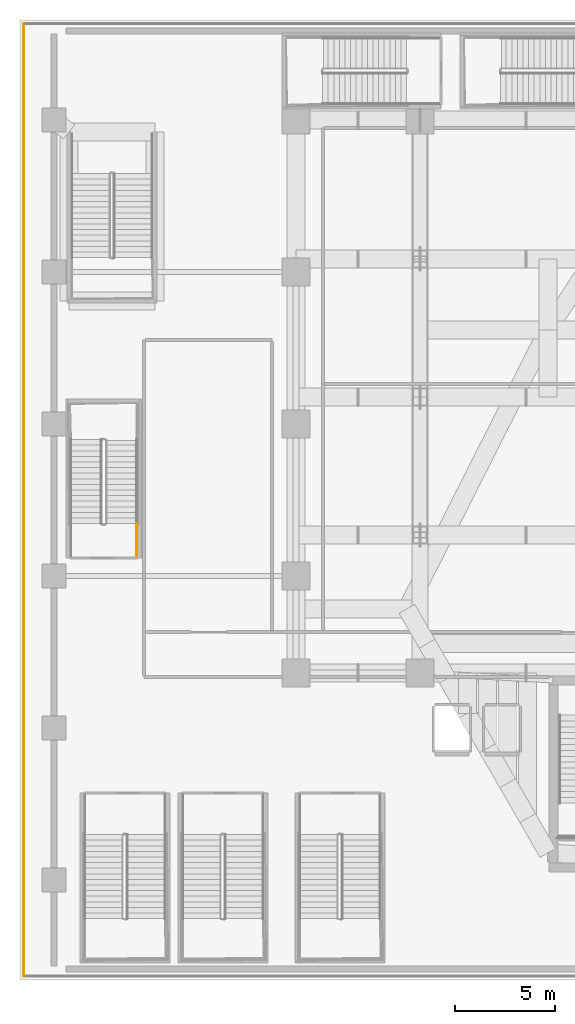
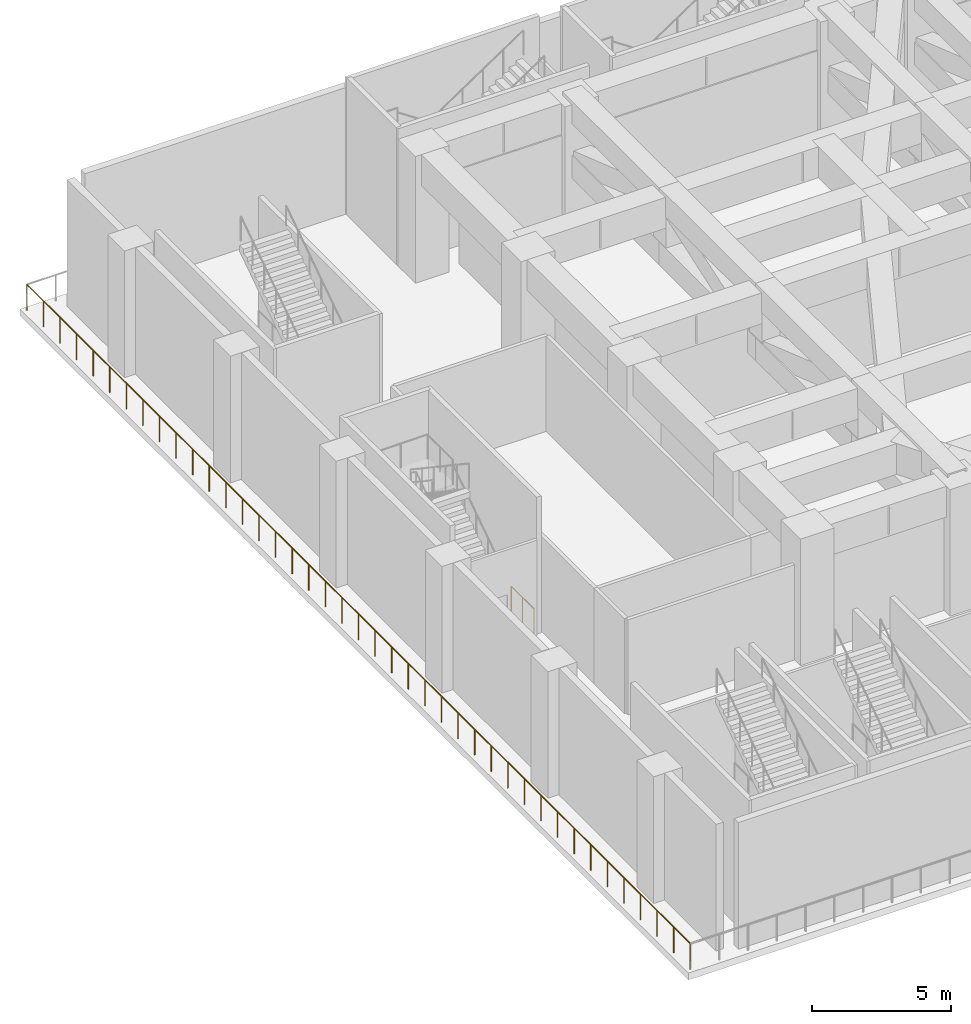
# One storey, part 17 of 27: 2 railings.
"""IFC4 building model written with IfcOpenShell, lengths in metres."""

from ifc_helpers import new_model, si_unit, direction, frame, origin, origin_2d, place, context, subcontext, project, spatial, circle, extrude, material, layer, layer_set, type_object, element, save


model = new_model("IFC4")

# Units and contexts
model_context = context("Model", 3, precision=1e-05, world=origin(), true_north=direction((0.0, 1.0)))
body_context = subcontext(model_context, "Body", "Model", "MODEL_VIEW")
ifc_project = project(units=[si_unit("LENGTHUNIT", "METRE"), si_unit("AREAUNIT", "SQUARE_METRE"), si_unit("VOLUMEUNIT", "CUBIC_METRE"), si_unit("PLANEANGLEUNIT", "RADIAN"), si_unit("MASSUNIT", "GRAM", prefix="KILO")], contexts=[model_context])

# Site, building, storey
site_placement = place(None, origin())
site = spatial("IfcSite", under=ifc_project, at=site_placement, CompositionType="ELEMENT")
building_placement = place(site_placement, origin())
building = spatial("IfcBuilding", under=site, at=building_placement, Name="Ndaravel Arena Tower", CompositionType="ELEMENT")
storey_placement = place(building_placement, frame((0.0, 0.0, 24.0)))
storey = spatial("IfcBuildingStorey", under=building, at=storey_placement, Name="L04", CompositionType="ELEMENT", Elevation=24.0)

# Railings
ifc_material_1 = material(Name="Steel S355", Category="steel")
ifc_layer_1 = layer(ifc_material_1, 0.06005859375)
ifc_layer_set_1 = layer_set([ifc_layer_1], Name="Steel S355")
railing_type_1 = type_object("IfcRailingType", Name="RAIL-STAIR-GD1100", PredefinedType="GUARDRAIL", material=ifc_layer_set_1)
railing_1_placement = place(storey_placement, frame((5.830078125, 21.199951171875, 0.0)))
element("IfcRailing", 1, at=railing_1_placement, inside=storey, type_object=railing_type_1, Name="L04 ST-A07 stair guard 5", PredefinedType="GUARDRAIL", context=body_context, shape_type="SweptSolid", body=[
    extrude(circle(Radius=0.02392578125, at=origin_2d()), frame((0.0, 0.0, 1.076171875), z_axis=(0.0, 1.0, 0.0), x_axis=(-1.0, 0.0, 0.0)), (0.0, 0.0, 1.0), 1.6201171875),
    extrude(circle(Radius=0.02099609375, at=origin_2d()), origin(), (0.0, 0.0, 1.0), 1.052001953125),
    extrude(circle(Radius=0.02099609375, at=origin_2d()), frame((0.0, 0.81005859375, 0.0)), (0.0, 0.0, 1.0), 1.052001953125),
    extrude(circle(Radius=0.02099609375, at=origin_2d()), frame((0.0, 1.6201171875, 0.0)), (0.0, 0.0, 1.0), 1.052001953125),
])
ifc_material_2 = material(Name="Glazing", Category="glass")
ifc_layer_2 = layer(ifc_material_2, 0.070068359375)
ifc_layer_set_2 = layer_set([ifc_layer_2], Name="Glazing")
railing_type_2 = type_object("IfcRailingType", Name="RAIL-TERRACE-1150", PredefinedType="BALUSTRADE", material=ifc_layer_set_2)
railing_2_placement = place(storey_placement, frame((0.179931640625, 47.820068359375, 0.0)))
element("IfcRailing", 2, at=railing_2_placement, inside=storey, type_object=railing_type_2, Name="L04 Podium Perimeter Edge Guard 4", PredefinedType="BALUSTRADE", context=body_context, shape_type="SweptSolid", body=[
    extrude(circle(Radius=0.02392578125, at=origin_2d()), frame((0.0, 0.0, 1.1259765625), z_axis=(0.0, -1.0, 0.0), x_axis=(1.0, 0.0, 0.0)), (0.0, 0.0, 1.0), 47.64013671875),
    extrude(circle(Radius=0.02099609375, at=origin_2d()), origin(), (0.0, 0.0, 1.0), 1.101806640625),
    extrude(circle(Radius=0.02099609375, at=origin_2d()), frame((0.0, -1.19091796875, 0.0)), (0.0, 0.0, 1.0), 1.101806640625),
    extrude(circle(Radius=0.02099609375, at=origin_2d()), frame((0.0, -2.382080078125, 0.0)), (0.0, 0.0, 1.0), 1.101806640625),
    extrude(circle(Radius=0.02099609375, at=origin_2d()), frame((0.0, -3.572998046875, 0.0)), (0.0, 0.0, 1.0), 1.101806640625),
    extrude(circle(Radius=0.02099609375, at=origin_2d()), frame((0.0, -4.763916015625, 0.0)), (0.0, 0.0, 1.0), 1.101806640625),
    extrude(circle(Radius=0.02099609375, at=origin_2d()), frame((0.0, -5.955078125, 0.0)), (0.0, 0.0, 1.0), 1.101806640625),
    extrude(circle(Radius=0.02099609375, at=origin_2d()), frame((0.0, -7.14599609375, 0.0)), (0.0, 0.0, 1.0), 1.101806640625),
    extrude(circle(Radius=0.02099609375, at=origin_2d()), frame((0.0, -8.3369140625, 0.0)), (0.0, 0.0, 1.0), 1.101806640625),
    extrude(circle(Radius=0.02099609375, at=origin_2d()), frame((0.0, -9.528076171875, 0.0)), (0.0, 0.0, 1.0), 1.101806640625),
    extrude(circle(Radius=0.02099609375, at=origin_2d()), frame((0.0, -10.718994140625, 0.0)), (0.0, 0.0, 1.0), 1.101806640625),
    extrude(circle(Radius=0.02099609375, at=origin_2d()), frame((0.0, -11.91015625, 0.0)), (0.0, 0.0, 1.0), 1.101806640625),
    extrude(circle(Radius=0.02099609375, at=origin_2d()), frame((0.0, -13.10107421875, 0.0)), (0.0, 0.0, 1.0), 1.101806640625),
    extrude(circle(Radius=0.02099609375, at=origin_2d()), frame((0.0, -14.2919921875, 0.0)), (0.0, 0.0, 1.0), 1.101806640625),
    extrude(circle(Radius=0.02099609375, at=origin_2d()), frame((0.0, -15.483154296875, 0.0)), (0.0, 0.0, 1.0), 1.101806640625),
    extrude(circle(Radius=0.02099609375, at=origin_2d()), frame((0.0, -16.674072265625, 0.0)), (0.0, 0.0, 1.0), 1.101806640625),
    extrude(circle(Radius=0.02099609375, at=origin_2d()), frame((0.0, -17.864990234375, 0.0)), (0.0, 0.0, 1.0), 1.101806640625),
    extrude(circle(Radius=0.02099609375, at=origin_2d()), frame((0.0, -19.05615234375, 0.0)), (0.0, 0.0, 1.0), 1.101806640625),
    extrude(circle(Radius=0.02099609375, at=origin_2d()), frame((0.0, -20.2470703125, 0.0)), (0.0, 0.0, 1.0), 1.101806640625),
    extrude(circle(Radius=0.02099609375, at=origin_2d()), frame((0.0, -21.43798828125, 0.0)), (0.0, 0.0, 1.0), 1.101806640625),
    extrude(circle(Radius=0.02099609375, at=origin_2d()), frame((0.0, -22.629150390625, 0.0)), (0.0, 0.0, 1.0), 1.101806640625),
    extrude(circle(Radius=0.02099609375, at=origin_2d()), frame((0.0, -23.820068359375, 0.0)), (0.0, 0.0, 1.0), 1.101806640625),
    extrude(circle(Radius=0.02099609375, at=origin_2d()), frame((0.0, -25.010986328125, 0.0)), (0.0, 0.0, 1.0), 1.101806640625),
    extrude(circle(Radius=0.02099609375, at=origin_2d()), frame((0.0, -26.2021484375, 0.0)), (0.0, 0.0, 1.0), 1.101806640625),
    extrude(circle(Radius=0.02099609375, at=origin_2d()), frame((0.0, -27.39306640625, 0.0)), (0.0, 0.0, 1.0), 1.101806640625),
    extrude(circle(Radius=0.02099609375, at=origin_2d()), frame((0.0, -28.583984375, 0.0)), (0.0, 0.0, 1.0), 1.101806640625),
    extrude(circle(Radius=0.02099609375, at=origin_2d()), frame((0.0, -29.775146484375, 0.0)), (0.0, 0.0, 1.0), 1.101806640625),
    extrude(circle(Radius=0.02099609375, at=origin_2d()), frame((0.0, -30.966064453125, 0.0)), (0.0, 0.0, 1.0), 1.101806640625),
    extrude(circle(Radius=0.02099609375, at=origin_2d()), frame((0.0, -32.156982421875, 0.0)), (0.0, 0.0, 1.0), 1.101806640625),
    extrude(circle(Radius=0.02099609375, at=origin_2d()), frame((0.0, -33.34814453125, 0.0)), (0.0, 0.0, 1.0), 1.101806640625),
    extrude(circle(Radius=0.02099609375, at=origin_2d()), frame((0.0, -34.5390625, 0.0)), (0.0, 0.0, 1.0), 1.101806640625),
    extrude(circle(Radius=0.02099609375, at=origin_2d()), frame((0.0, -35.72998046875, 0.0)), (0.0, 0.0, 1.0), 1.101806640625),
    extrude(circle(Radius=0.02099609375, at=origin_2d()), frame((0.0, -36.921142578125, 0.0)), (0.0, 0.0, 1.0), 1.101806640625),
    extrude(circle(Radius=0.02099609375, at=origin_2d()), frame((0.0, -38.112060546875, 0.0)), (0.0, 0.0, 1.0), 1.101806640625),
    extrude(circle(Radius=0.02099609375, at=origin_2d()), frame((0.0, -39.30322265625, 0.0)), (0.0, 0.0, 1.0), 1.101806640625),
    extrude(circle(Radius=0.02099609375, at=origin_2d()), frame((0.0, -40.494140625, 0.0)), (0.0, 0.0, 1.0), 1.101806640625),
    extrude(circle(Radius=0.02099609375, at=origin_2d()), frame((0.0, -41.68505859375, 0.0)), (0.0, 0.0, 1.0), 1.101806640625),
    extrude(circle(Radius=0.02099609375, at=origin_2d()), frame((0.0, -42.876220703125, 0.0)), (0.0, 0.0, 1.0), 1.101806640625),
    extrude(circle(Radius=0.02099609375, at=origin_2d()), frame((0.0, -44.067138671875, 0.0)), (0.0, 0.0, 1.0), 1.101806640625),
    extrude(circle(Radius=0.02099609375, at=origin_2d()), frame((0.0, -45.258056640625, 0.0)), (0.0, 0.0, 1.0), 1.101806640625),
    extrude(circle(Radius=0.02099609375, at=origin_2d()), frame((0.0, -46.44921875, 0.0)), (0.0, 0.0, 1.0), 1.101806640625),
    extrude(circle(Radius=0.02099609375, at=origin_2d()), frame((0.0, -47.64013671875, 0.0)), (0.0, 0.0, 1.0), 1.101806640625),
])

save(model, "model.ifc")
